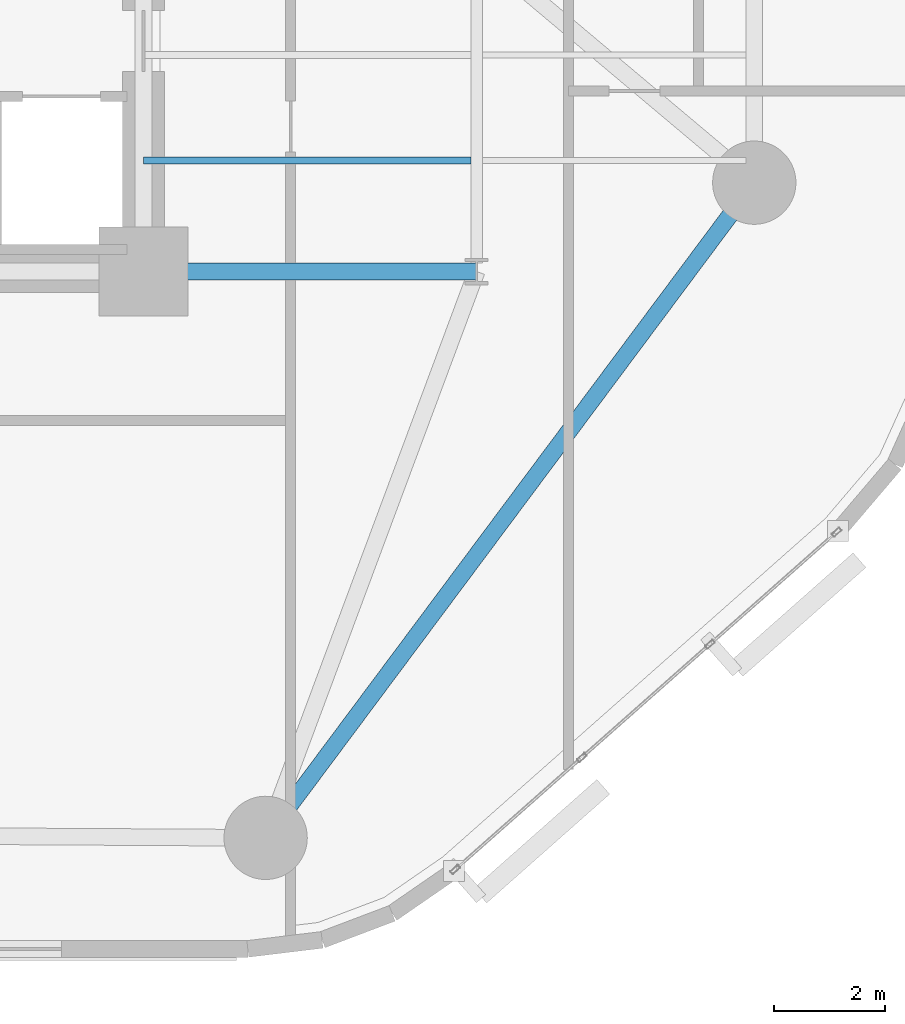
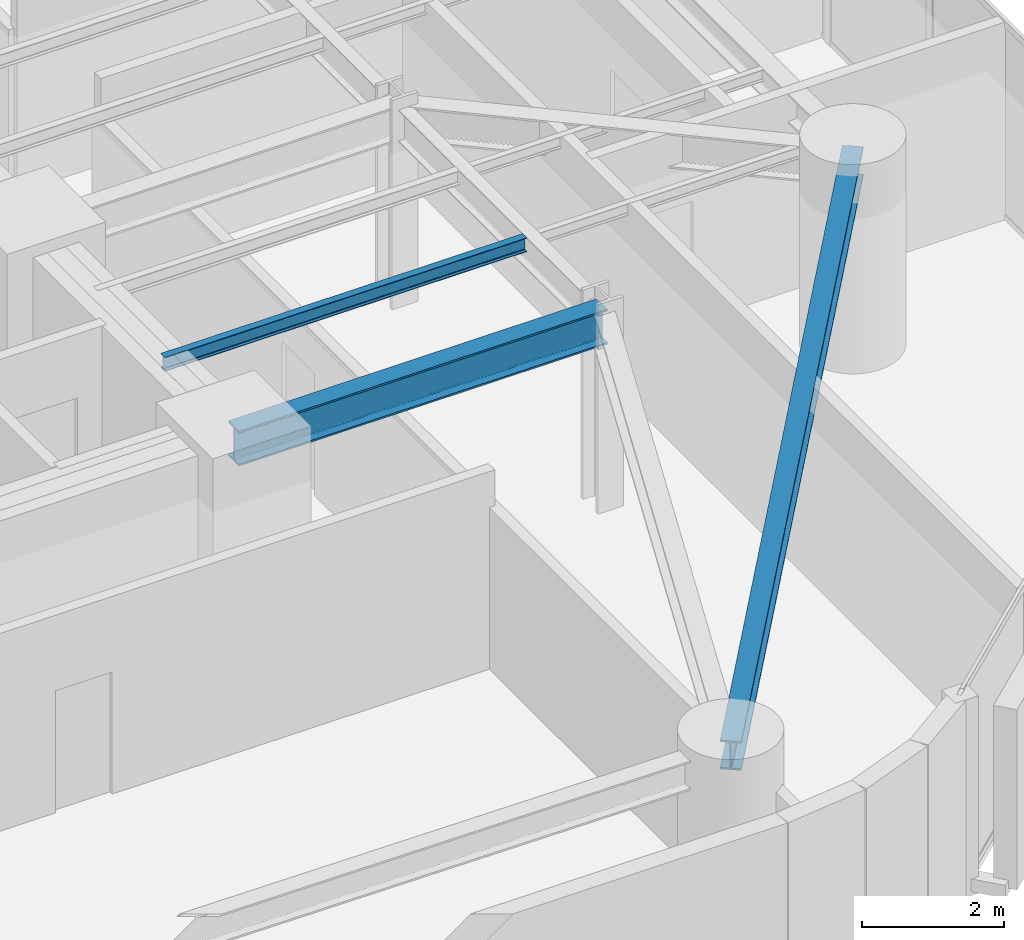
# One storey, part 3 of 16: 3 beams.
"""IFC4 building model written with IfcOpenShell, lengths in metres."""

from ifc_helpers import new_model, si_unit, direction, frame, origin, origin_2d, place, context, subcontext, project, spatial, i_section, extrude, material, material_profile, profile_set, type_object, element, save


model = new_model("IFC4")

# Units and contexts
model_context = context("Model", 3, precision=1e-05, world=origin(), true_north=direction((0.0, 1.0)))
body_context = subcontext(model_context, "Body", "Model", "MODEL_VIEW")
ifc_project = project(units=[si_unit("LENGTHUNIT", "METRE"), si_unit("AREAUNIT", "SQUARE_METRE"), si_unit("VOLUMEUNIT", "CUBIC_METRE"), si_unit("PLANEANGLEUNIT", "RADIAN"), si_unit("MASSUNIT", "GRAM", prefix="KILO")], contexts=[model_context])

# Site, building, storey
site_placement = place(None, origin())
site = spatial("IfcSite", under=ifc_project, at=site_placement, CompositionType="ELEMENT")
building_placement = place(site_placement, origin())
building = spatial("IfcBuilding", under=site, at=building_placement, Name="An Khanh Terracotta Commons", CompositionType="ELEMENT")
storey_placement = place(building_placement, frame((0.0, 0.0, 54.0)))
storey = spatial("IfcBuildingStorey", under=building, at=storey_placement, Name="L14", CompositionType="ELEMENT", Elevation=54.0)

# Beams
ifc_material = material(Name="Steel S355J2", Category="steel")
ifc_material_profile_1 = material_profile(ifc_material, i_section(OverallWidth=0.300048828125, OverallDepth=0.5, WebThickness=0.014404296875, FlangeThickness=0.028076171875, FilletRadius=0.027099609375, at=origin_2d()), Name="HEB500")
ifc_profile_set_1 = profile_set([ifc_material_profile_1], Name="Steel S355J2")
beam_type_1 = type_object("IfcBeamType", Name="BM-HEB500", PredefinedType="BEAM", material=ifc_profile_set_1)
beam_1_placement = place(storey_placement, frame((39.39990234375, 4.199951171875, 3.14990234375), z_axis=(0.59782442166, 0.801627070942, 0.0), x_axis=(-0.801627070942, 0.59782442166, 0.0)))
element("IfcBeam", 1, at=beam_1_placement, inside=storey, type_object=beam_type_1, Name="L14 Perimeter Ring Spandrel 2", PredefinedType="BEAM", context=body_context, shape_type="SweptSolid", body=[
    extrude(i_section(OverallWidth=0.300048828125, OverallDepth=0.5, WebThickness=0.014404296875, FlangeThickness=0.028076171875, FilletRadius=0.027099609375, at=origin_2d()), origin(), (0.0, 0.0, 1.0), 14.72021484375),
])
ifc_material_profile_2 = material_profile(ifc_material, i_section(OverallWidth=0.300048828125, OverallDepth=0.60009765625, WebThickness=0.015380859375, FlangeThickness=0.030029296875, FilletRadius=0.027099609375, at=origin_2d()), Name="HEB600")
ifc_profile_set_2 = profile_set([ifc_material_profile_2], Name="Steel S355J2")
beam_type_2 = type_object("IfcBeamType", Name="BM-HEB600", PredefinedType="BEAM", material=ifc_profile_set_2)
beam_2_placement = place(storey_placement, frame((37.199951171875, 14.39990234375, 3.10009765625), z_axis=(1.0, 0.0, 0.0), x_axis=(0.0, 1.0, 0.0)))
element("IfcBeam", 2, at=beam_2_placement, inside=storey, type_object=beam_type_2, Name="L14 East Primary Floor Girder 1", PredefinedType="BEAM", context=body_context, shape_type="SweptSolid", body=[
    extrude(i_section(OverallWidth=0.300048828125, OverallDepth=0.60009765625, WebThickness=0.015380859375, FlangeThickness=0.030029296875, FilletRadius=0.027099609375, at=origin_2d()), origin(), (0.0, 0.0, 1.0), 6.0),
])
ifc_material_profile_3 = material_profile(ifc_material, i_section(OverallWidth=0.1201171875, OverallDepth=0.239990234375, WebThickness=0.006103515625, FlangeThickness=0.009765625, FilletRadius=0.014892578125, at=origin_2d()), Name="IPE240")
ifc_profile_set_3 = profile_set([ifc_material_profile_3], Name="Steel S355J2")
beam_type_3 = type_object("IfcBeamType", Name="BM-IPE240", PredefinedType="JOIST", material=ifc_profile_set_3)
beam_3_placement = place(storey_placement, frame((37.199951171875, 16.39990234375, 3.280029296875), z_axis=(1.0, 0.0, 0.0), x_axis=(0.0, 1.0, 0.0)))
element("IfcBeam", 3, at=beam_3_placement, inside=storey, type_object=beam_type_3, Name="L14 Inboard Composite Joist 1", PredefinedType="JOIST", context=body_context, shape_type="SweptSolid", body=[
    extrude(i_section(OverallWidth=0.1201171875, OverallDepth=0.239990234375, WebThickness=0.006103515625, FlangeThickness=0.009765625, FilletRadius=0.014892578125, at=origin_2d()), origin(), (0.0, 0.0, 1.0), 5.89501953125),
])

save(model, "model.ifc")
